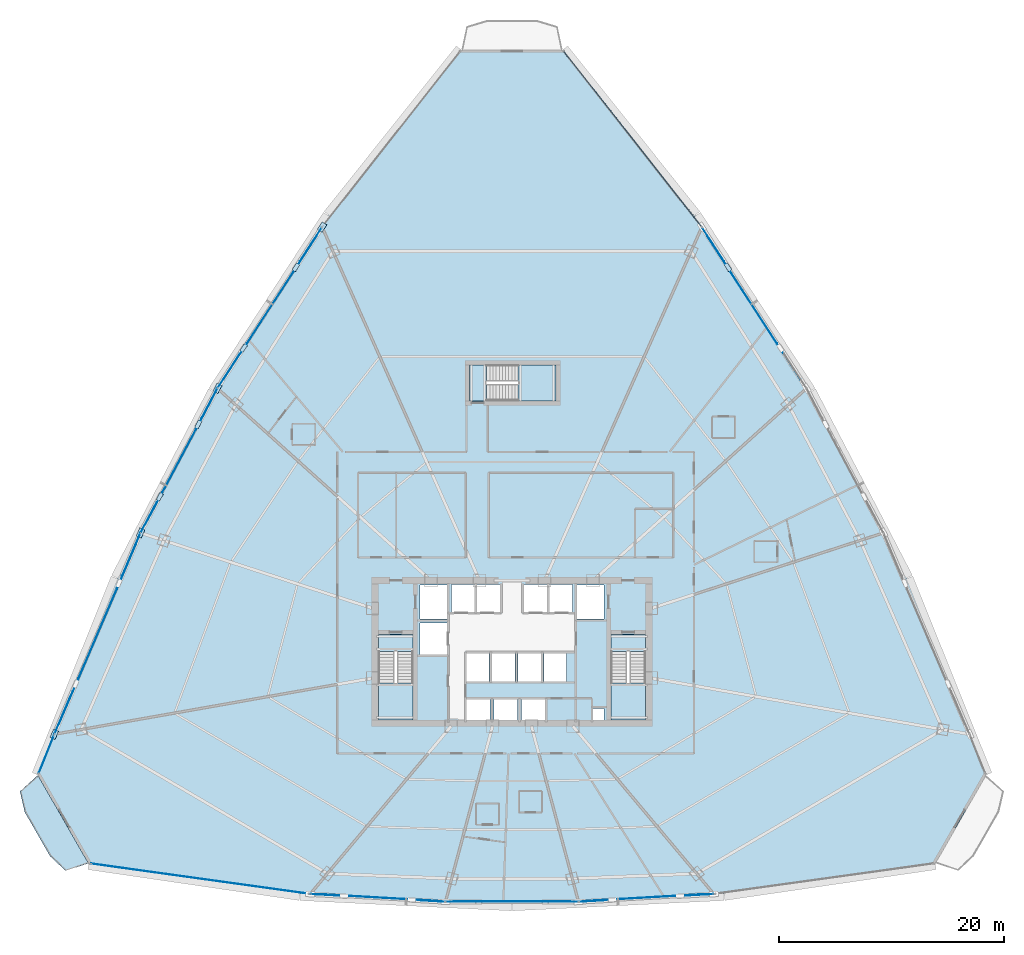
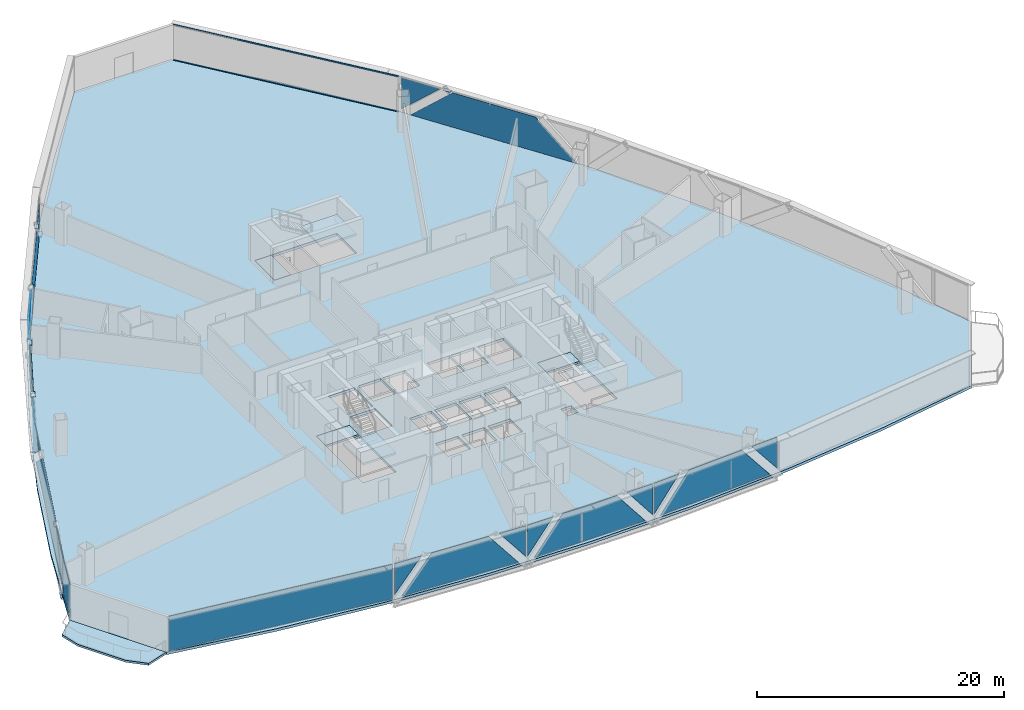
# One storey, part 28 of 38: 31 plates, 8 slabs, 2 members, 13 elements without a shape of their own.
"""IFC4 building model written with IfcOpenShell, lengths in metres."""

import ifcopenshell
import ifcopenshell.guid

model = None  # the IFC model being written
_history = None  # IfcOwnerHistory: only IFC2X3 demands one
_inside = {}  # id of a spatial element -> (the spatial element, [elements in it])
_under = {}  # id of a project, library or spatial element -> (it, [spatial elements below it])
_declared = {}  # id of a project -> (the project, [libraries it declares])
_typed = {}  # id of a type object -> (the type object, [elements of that type])
_made_of = {}  # id of a material, layer set ... -> (it, [elements and type objects made of it])


def new_model(schema):
    """Start an empty IFC model of exactly this schema.

    Asked for "IFC4X3", IfcOpenShell would pick the latest addendum, in which some entities
    have other attributes; the version numbers below select the first issue.
    IFC2X3 requires an IfcOwnerHistory on every rooted entity: one is made here for all.
    """
    global model, _history
    if schema == "IFC4X3":
        model = ifcopenshell.file(schema_version=(4, 3, 0, 0))
    else:
        model = ifcopenshell.file(schema=schema)
    _inside.clear()
    _under.clear()
    _declared.clear()
    _typed.clear()
    _made_of.clear()
    _history = None
    if model.schema == "IFC2X3":
        org = make("IfcOrganization", Name="unknown")
        user = make(
            "IfcPersonAndOrganization",
            ThePerson=make("IfcPerson", FamilyName="unknown"),
            TheOrganization=org,
        )
        app = make(
            "IfcApplication",
            ApplicationDeveloper=org,
            Version="unknown",
            ApplicationFullName="unknown",
            ApplicationIdentifier="unknown",
        )
        _history = make(
            "IfcOwnerHistory",
            OwningUser=user,
            OwningApplication=app,
            ChangeAction="ADDED",
            CreationDate=0,
        )
    return model


def make(cls, **values):
    """One entity of the class cls with the attributes given. An attribute that is None is left unset."""
    return model.create_entity(
        cls, **{name: value for name, value in values.items() if value is not None}
    )


def rooted(cls, **values):
    """An entity with a GlobalId (a new one), such as an element, a storey or a relation."""
    return make(cls, GlobalId=ifcopenshell.guid.new(), OwnerHistory=_history, **values)


def si_unit(unit_type, name, prefix=None):
    """IfcSIUnit, for example si_unit("LENGTHUNIT", "METRE", prefix="MILLI")."""
    return make("IfcSIUnit", UnitType=unit_type, Prefix=prefix, Name=name)


def assignment(units):
    """IfcUnitAssignment: the units of a project."""
    return None if units is None else make("IfcUnitAssignment", Units=units)


def point(xyz):
    """IfcCartesianPoint."""
    return None if xyz is None else make("IfcCartesianPoint", Coordinates=xyz)


def direction(xyz):
    """IfcDirection."""
    return None if xyz is None else make("IfcDirection", DirectionRatios=xyz)


def frame(location, z_axis=None, x_axis=None):
    """IfcAxis2Placement3D, a coordinate frame: its origin and axes. An axis left out is left unset."""
    return make(
        "IfcAxis2Placement3D",
        Location=point(location),
        Axis=direction(z_axis),
        RefDirection=direction(x_axis),
    )


def frame_2d(location, x_axis=None):
    """IfcAxis2Placement2D, a coordinate frame in the plane: its origin and x axis."""
    return make(
        "IfcAxis2Placement2D", Location=point(location), RefDirection=direction(x_axis)
    )


def origin():
    """The frame at (0, 0, 0) with its axes left unset."""
    return frame((0.0, 0.0, 0.0))


def origin_2d():
    """The frame at (0, 0) in the plane with its x axis left unset."""
    return frame_2d((0.0, 0.0))


def place(relative_to, where):
    """IfcLocalPlacement: puts the frame where relative to a parent placement (None: the world)."""
    return make(
        "IfcLocalPlacement", PlacementRelTo=relative_to, RelativePlacement=where
    )


def context(
    kind, dimensions, precision=None, world=None, true_north=None, identifier=None
):
    """IfcGeometricRepresentationContext, for example the 3D "Model" context."""
    return make(
        "IfcGeometricRepresentationContext",
        ContextIdentifier=identifier,
        ContextType=kind,
        CoordinateSpaceDimension=dimensions,
        Precision=precision,
        WorldCoordinateSystem=world,
        TrueNorth=true_north,
    )


def subcontext(parent, identifier, kind, view, scale=None):
    """IfcGeometricRepresentationSubContext, for example "Body" below "Model"."""
    return make(
        "IfcGeometricRepresentationSubContext",
        ContextIdentifier=identifier,
        ContextType=kind,
        ParentContext=parent,
        TargetScale=scale,
        TargetView=view,
    )


def project(units=None, contexts=None):
    """IfcProject with its units and contexts."""
    return rooted(
        "IfcProject",
        Name="project",
        RepresentationContexts=contexts,
        UnitsInContext=assignment(units),
    )


def spatial(cls, under=None, at=None, **own):
    """A site, building, storey or space (cls), placed at a placement, below another one or the project."""
    s = rooted(cls, ObjectPlacement=at, **own)
    if under is not None:
        _under.setdefault(under.id(), (under, []))[1].append(s)
    return s


def polyline(points):
    """IfcPolyline through the points."""
    return make("IfcPolyline", Points=[point(p) for p in points])


def profile(cls, at=None, kind="AREA", **sizes):
    """A parametric profile (cls). Its sizes go by their IFC names, for example OverallWidth=200.0."""
    return make(cls, ProfileType=kind, Position=at, **sizes)


def rectangle(**sizes):
    """IfcRectangleProfileDef."""
    return profile("IfcRectangleProfileDef", **sizes)


def hollow_rectangle(**sizes):
    """IfcRectangleHollowProfileDef."""
    return profile("IfcRectangleHollowProfileDef", **sizes)


def outline(outer, holes=None, kind="AREA"):
    """IfcArbitraryClosedProfileDef: a profile drawn as a closed curve; with holes, ...WithVoids."""
    if holes is None:
        return make("IfcArbitraryClosedProfileDef", ProfileType=kind, OuterCurve=outer)
    return make(
        "IfcArbitraryProfileDefWithVoids",
        ProfileType=kind,
        OuterCurve=outer,
        InnerCurves=holes,
    )


def extrude(swept, where, along, depth):
    """IfcExtrudedAreaSolid: the profile swept, set in the frame where, extruded along a direction by depth."""
    return make(
        "IfcExtrudedAreaSolid",
        SweptArea=swept,
        Position=where,
        ExtrudedDirection=direction(along),
        Depth=depth,
    )


def shape(context_of_items, identifier, shape_type, items):
    """IfcShapeRepresentation: the items that make up one representation, for example the "Body"."""
    return make(
        "IfcShapeRepresentation",
        ContextOfItems=context_of_items,
        RepresentationIdentifier=identifier,
        RepresentationType=shape_type,
        Items=items,
    )


def source(mapping_origin, context_of_items, identifier, shape_type, items):
    """IfcRepresentationMap: a shape defined once, which mapped items show again and again."""
    return make(
        "IfcRepresentationMap",
        MappingOrigin=mapping_origin,
        MappedRepresentation=shape(context_of_items, identifier, shape_type, items),
    )


def transform(
    local_origin,
    x_axis=None,
    y_axis=None,
    z_axis=None,
    scale=None,
    scale2=None,
    scale3=None,
    uniform=True,
):
    """IfcCartesianTransformationOperator3D, or its non-uniform kind. x_axis, y_axis, z_axis: its Axis1, 2, 3."""
    if uniform:
        return make(
            "IfcCartesianTransformationOperator3D",
            Axis1=direction(x_axis),
            Axis2=direction(y_axis),
            LocalOrigin=point(local_origin),
            Scale=scale,
            Axis3=direction(z_axis),
        )
    return make(
        "IfcCartesianTransformationOperator3DnonUniform",
        Axis1=direction(x_axis),
        Axis2=direction(y_axis),
        LocalOrigin=point(local_origin),
        Scale=scale,
        Axis3=direction(z_axis),
        Scale2=scale2,
        Scale3=scale3,
    )


def mapped(mapping_source, mapping_target):
    """IfcMappedItem: shows the shape of a source again, moved by a transform."""
    return make(
        "IfcMappedItem", MappingSource=mapping_source, MappingTarget=mapping_target
    )


def material(Name=None, Category=None):
    """IfcMaterial."""
    return make("IfcMaterial", Name=Name, Category=Category)


def layer(
    of_material, thickness, ventilated=None, Name=None, Category=None, Priority=None
):
    """IfcMaterialLayer: one layer of a wall or slab, of a material (None: an air gap)."""
    return make(
        "IfcMaterialLayer",
        Material=of_material,
        LayerThickness=thickness,
        IsVentilated=ventilated,
        Name=Name,
        Category=Category,
        Priority=Priority,
    )


def layer_set(layers, Name=None):
    """IfcMaterialLayerSet."""
    return make("IfcMaterialLayerSet", MaterialLayers=layers, LayerSetName=Name)


def material_profile(
    of_material, cross_section, Name=None, Category=None, Priority=None
):
    """IfcMaterialProfile: a cross section and its material."""
    return make(
        "IfcMaterialProfile",
        Name=Name,
        Material=of_material,
        Profile=cross_section,
        Priority=Priority,
        Category=Category,
    )


def profile_set(profiles, Name=None, composite=None):
    """IfcMaterialProfileSet."""
    return make(
        "IfcMaterialProfileSet",
        Name=Name,
        MaterialProfiles=profiles,
        CompositeProfile=composite,
    )


def made_of(thing, what):
    """Note that an element or type object is made of a material, layer set ...; save() writes the relation."""
    if what is not None:
        _made_of.setdefault(what.id(), (what, []))[1].append(thing)
    return thing


def type_object(cls, material=None, **own):
    """A type object (cls), such as IfcWallType, which elements share."""
    return made_of(rooted(cls, **own), material)


def element(
    cls,
    number,
    at=None,
    inside=None,
    cuts=None,
    type_object=None,
    material=None,
    context=None,
    identifier="Body",
    shape_type=None,
    held_by="IfcProductDefinitionShape",
    body=None,
    shapes=None,
    **own,
):
    """One element of the class cls, such as IfcWall. Its Tag is "e" and its number.

    at: its placement. inside: the storey or other place that contains it. cuts: it is an
    opening in that element (IfcRelVoidsElement). A single representation is given by context,
    identifier, shape_type and body (its items); several are given by shapes. held_by: the class
    of the entity that holds the representations. save() writes the other relations.
    """
    e = rooted(cls, Tag="e%d" % number, ObjectPlacement=at, **own)
    if body is not None:
        shapes = [shape(context, identifier, shape_type, body)]
    if shapes is not None:
        e.Representation = make(held_by, Representations=shapes)
    if inside is not None:
        _inside.setdefault(inside.id(), (inside, []))[1].append(e)
    if cuts is not None:
        rooted(
            "IfcRelVoidsElement", RelatingBuildingElement=cuts, RelatedOpeningElement=e
        )
    if type_object is not None:
        _typed.setdefault(type_object.id(), (type_object, []))[1].append(e)
    return made_of(e, material)


def aggregate(whole, parts):
    """IfcRelAggregates: a whole, such as a stair, and the parts it consists of."""
    return rooted("IfcRelAggregates", RelatingObject=whole, RelatedObjects=parts)


def save(model, path):
    """Write the relations noted so far, then the file.

    IfcRelAggregates (storeys below a building ...), IfcRelContainedInSpatialStructure (elements
    in a storey), IfcRelDefinesByType, IfcRelAssociatesMaterial and IfcRelDeclares: one each for
    every whole, place, type object, material and project.
    """
    for whole, parts in _under.values():
        aggregate(whole, parts)
    for where, things in _inside.values():
        rooted(
            "IfcRelContainedInSpatialStructure",
            RelatedElements=things,
            RelatingStructure=where,
        )
    for kind, things in _typed.values():
        rooted("IfcRelDefinesByType", RelatedObjects=things, RelatingType=kind)
    for what, things in _made_of.values():
        rooted("IfcRelAssociatesMaterial", RelatedObjects=things, RelatingMaterial=what)
    for by, libraries in _declared.values():
        rooted("IfcRelDeclares", RelatingContext=by, RelatedDefinitions=libraries)
    model.write(path)


model = new_model("IFC4")

# Units and contexts
model_context = context("Model", 3, precision=1e-05, world=origin(), true_north=direction((0.0, 1.0)))
body_context = subcontext(model_context, "Body", "Model", "MODEL_VIEW")
ifc_project = project(units=[si_unit("LENGTHUNIT", "METRE"), si_unit("AREAUNIT", "SQUARE_METRE"), si_unit("VOLUMEUNIT", "CUBIC_METRE"), si_unit("PLANEANGLEUNIT", "RADIAN"), si_unit("MASSUNIT", "GRAM", prefix="KILO"), si_unit("THERMODYNAMICTEMPERATUREUNIT", "KELVIN"), si_unit("POWERUNIT", "WATT")], contexts=[model_context])

# Site, building, storey
site_placement = place(None, origin())
site = spatial("IfcSite", under=ifc_project, at=site_placement, CompositionType="ELEMENT")
building_placement = place(site_placement, origin())
building = spatial("IfcBuilding", under=site, at=building_placement, Name="Yunzhuo Pagoda Commons", CompositionType="ELEMENT")
storey_placement = place(building_placement, frame((0.0, 0.0, 81.179931640625)))
storey = spatial("IfcBuildingStorey", under=building, at=storey_placement, Name="L20", CompositionType="ELEMENT", Elevation=81.179931640625)

# Curtain wall, members
ifc_material_1 = material(Name="Anodized aluminium 6063-T6", Category="aluminium")
ifc_layer_1 = layer(ifc_material_1, 0.1650390625)
ifc_layer_set_1 = layer_set([ifc_layer_1], Name="Anodized aluminium 6063-T6")
curtain_wall_type = type_object("IfcCurtainWallType", Name="CW-LOW Low-Zone Ribbon Curtain Wall", PredefinedType="NOTDEFINED", material=ifc_layer_set_1)
curtain_wall_1_placement = place(storey_placement, origin())
curtain_wall_1 = element("IfcCurtainWall", 1, at=curtain_wall_1_placement, inside=storey, type_object=curtain_wall_type, Name="L20 curtain wall CW-L20-F2B5", PredefinedType="NOTDEFINED")
ifc_material_profile = material_profile(ifc_material_1, hollow_rectangle(XDim=0.06005859375, YDim=0.139892578125, WallThickness=0.00341796875, at=origin_2d()), Name="Anodized aluminium 6063-T6")
ifc_profile_set = profile_set([ifc_material_profile], Name="Anodized aluminium 6063-T6")
member_type = type_object("IfcMemberType", Name="CW-LOW-T Transom RHS 140x60x3.5", PredefinedType="USERDEFINED", material=ifc_profile_set)
shared_shape_1 = source(origin(), body_context, "Body", "SweptSolid", [
    extrude(hollow_rectangle(XDim=0.06005859375, YDim=0.139892578125, WallThickness=0.00341796875, at=origin_2d()), origin(), (0.0, 0.0, 1.0), 19.706298828125),
])
member_1_placement = place(storey_placement, frame((64.8173828125, 71.777099609375, 0.030029296875), z_axis=(-0.61806117369, 0.786130005519, 0.0), x_axis=(-0.786130005519, -0.61806117369, 0.0)))
member_1 = element("IfcMember", 2, at=member_1_placement, type_object=member_type, Name="CW transom 1.1", ObjectType="TRANSOM", PredefinedType="USERDEFINED", context=body_context, shape_type="MappedRepresentation", body=[
    mapped(shared_shape_1, transform((0.0, 0.0, 0.0), scale=1.0)),
])
member_2_placement = place(storey_placement, frame((64.8173828125, 71.777099609375, 3.510009765625), z_axis=(-0.61806117369, 0.786130005519, 0.0), x_axis=(-0.786130005519, -0.61806117369, 0.0)))
member_2 = element("IfcMember", 3, at=member_2_placement, type_object=member_type, Name="CW transom 1.2", ObjectType="TRANSOM", PredefinedType="USERDEFINED", context=body_context, shape_type="MappedRepresentation", body=[
    mapped(shared_shape_1, transform((0.0, 0.0, 0.0), scale=1.0)),
])
aggregate(curtain_wall_1, [member_1, member_2])

# Curtain wall, plates
curtain_wall_2_placement = place(storey_placement, origin())
curtain_wall_2 = element("IfcCurtainWall", 4, at=curtain_wall_2_placement, inside=storey, type_object=curtain_wall_type, Name="L20 curtain wall CW-L20-F1B2", PredefinedType="NOTDEFINED")
ifc_material_2 = material(Name="Tempered low-e double glazing", Category="glass")
ifc_layer_2 = layer(ifc_material_2, 0.028076171875)
ifc_layer_set_2 = layer_set([ifc_layer_2], Name="Tempered low-e double glazing")
plate_type_1 = type_object("IfcPlateType", Name="CW-LOW-P Low-E Double Glazing 28", PredefinedType="CURTAIN_PANEL", material=ifc_layer_set_2)
plate_1_placement = place(storey_placement, frame((31.310302734375, 12.234375, 1.956787109375), z_axis=(-0.057418382325, -0.998350203772, 0.0), x_axis=(0.998350203772, -0.057418382325, 0.0)))
plate_1 = element("IfcPlate", 5, at=plate_1_placement, type_object=plate_type_1, Name="CW panel 1.1 lite 1", PredefinedType="CURTAIN_PANEL", context=body_context, shape_type="SweptSolid", body=[
    extrude(outline(polyline([(-1.208740234375, -1.5234375), (1.208740234375, 1.523193359375), (-1.208740234375, 1.523193359375), (-1.208740234375, -1.5234375)])), origin(), (0.0, 0.0, 1.0), 0.028076171875),
])
plate_2_placement = place(storey_placement, frame((36.060791015625, 11.9912109375, 1.77001953125), z_axis=(-0.057418382325, -0.998350203772, 0.0), x_axis=(0.998350203772, -0.057418382325, 0.0)))
plate_2 = element("IfcPlate", 6, at=plate_2_placement, type_object=plate_type_1, Name="CW panel 1.1 lite 2", PredefinedType="CURTAIN_PANEL", context=body_context, shape_type="SweptSolid", body=[
    extrude(outline(polyline([(-5.291259765625, -1.7099609375), (5.291259765625, -1.7099609375), (2.57763671875, 1.7099609375), (-2.57763671875, 1.7099609375), (-5.291259765625, -1.7099609375)])), origin(), (0.0, 0.0, 1.0), 0.028076171875),
])
plate_3_placement = place(storey_placement, frame((40.8076171875, 11.688232421875, 1.956787109375), z_axis=(-0.057418382325, -0.998350203772, 0.0), x_axis=(0.998350203772, -0.057418382325, 0.0)))
plate_3 = element("IfcPlate", 7, at=plate_3_placement, type_object=plate_type_1, Name="CW panel 1.1 lite 3", PredefinedType="CURTAIN_PANEL", context=body_context, shape_type="SweptSolid", body=[
    extrude(outline(polyline([(-1.208740234375, 1.523193359375), (1.208740234375, -1.5234375), (1.208740234375, 1.523193359375), (-1.208740234375, 1.523193359375)])), origin(), (0.0, 0.0, 1.0), 0.028076171875),
])
aggregate(curtain_wall_2, [plate_1, plate_2, plate_3])

curtain_wall_3_placement = place(storey_placement, origin())
curtain_wall_3 = element("IfcCurtainWall", 8, at=curtain_wall_3_placement, inside=storey, type_object=curtain_wall_type, Name="L20 curtain wall CW-L20-F1B3", PredefinedType="NOTDEFINED")
plate_4_placement = place(storey_placement, frame((43.3271484375, 11.615234375, 1.9609375), z_axis=(0.0, -1.0, 0.0), x_axis=(1.0, 0.0, 0.0)))
plate_4 = element("IfcPlate", 9, at=plate_4_placement, type_object=plate_type_1, Name="CW panel 1.1 lite 1", PredefinedType="CURTAIN_PANEL", context=body_context, shape_type="SweptSolid", body=[
    extrude(outline(polyline([(-1.18359375, -1.51904296875), (1.18359375, 1.51904296875), (-1.18359375, 1.51904296875), (-1.18359375, -1.51904296875)])), origin(), (0.0, 0.0, 1.0), 0.028076171875),
])
plate_5_placement = place(storey_placement, frame((48.0, 11.64501953125, 1.77001953125), z_axis=(0.0, -1.0, 0.0), x_axis=(1.0, 0.0, 0.0)))
plate_5 = element("IfcPlate", 10, at=plate_5_placement, type_object=plate_type_1, Name="CW panel 1.1 lite 2", PredefinedType="CURTAIN_PANEL", context=body_context, shape_type="SweptSolid", body=[
    extrude(outline(polyline([(-5.1904296875, -1.7099609375), (5.1904296875, -1.7099609375), (2.525634765625, 1.7099609375), (-2.525634765625, 1.7099609375), (-5.1904296875, -1.7099609375)])), origin(), (0.0, 0.0, 1.0), 0.028076171875),
])
plate_6_placement = place(storey_placement, frame((52.6728515625, 11.615234375, 1.9609375), z_axis=(0.0, -1.0, 0.0), x_axis=(1.0, 0.0, 0.0)))
plate_6 = element("IfcPlate", 11, at=plate_6_placement, type_object=plate_type_1, Name="CW panel 1.1 lite 3", PredefinedType="CURTAIN_PANEL", context=body_context, shape_type="SweptSolid", body=[
    extrude(outline(polyline([(-1.18359375, 1.51904296875), (1.18359375, -1.51904296875), (1.18359375, 1.51904296875), (-1.18359375, 1.51904296875)])), origin(), (0.0, 0.0, 1.0), 0.028076171875),
])
aggregate(curtain_wall_3, [plate_4, plate_5, plate_6])

curtain_wall_4_placement = place(storey_placement, origin())
curtain_wall_4 = element("IfcCurtainWall", 12, at=curtain_wall_4_placement, inside=storey, type_object=curtain_wall_type, Name="L20 curtain wall CW-L20-F1B4", PredefinedType="NOTDEFINED")
plate_7_placement = place(storey_placement, frame((55.1923828125, 11.688232421875, 1.956787109375), z_axis=(0.057418382325, -0.998350203772, 0.0), x_axis=(0.998350203772, 0.057418382325, 0.0)))
plate_7 = element("IfcPlate", 13, at=plate_7_placement, type_object=plate_type_1, Name="CW panel 1.1 lite 1", PredefinedType="CURTAIN_PANEL", context=body_context, shape_type="SweptSolid", body=[
    extrude(outline(polyline([(-1.208740234375, -1.5234375), (1.208740234375, 1.523193359375), (-1.208740234375, 1.523193359375), (-1.208740234375, -1.5234375)])), origin(), (0.0, 0.0, 1.0), 0.028076171875),
])
plate_8_placement = place(storey_placement, frame((59.939208984375, 11.9912109375, 1.77001953125), z_axis=(0.057418382325, -0.998350203772, 0.0), x_axis=(0.998350203772, 0.057418382325, 0.0)))
plate_8 = element("IfcPlate", 14, at=plate_8_placement, type_object=plate_type_1, Name="CW panel 1.1 lite 2", PredefinedType="CURTAIN_PANEL", context=body_context, shape_type="SweptSolid", body=[
    extrude(outline(polyline([(-5.291259765625, -1.7099609375), (5.291259765625, -1.7099609375), (2.57763671875, 1.7099609375), (-2.57763671875, 1.7099609375), (-5.291259765625, -1.7099609375)])), origin(), (0.0, 0.0, 1.0), 0.028076171875),
])
plate_9_placement = place(storey_placement, frame((64.689697265625, 12.234375, 1.956787109375), z_axis=(0.057418382325, -0.998350203772, 0.0), x_axis=(0.998350203772, 0.057418382325, 0.0)))
plate_9 = element("IfcPlate", 15, at=plate_9_placement, type_object=plate_type_1, Name="CW panel 1.1 lite 3", PredefinedType="CURTAIN_PANEL", context=body_context, shape_type="SweptSolid", body=[
    extrude(outline(polyline([(-1.208740234375, 1.523193359375), (1.208740234375, -1.5234375), (1.208740234375, 1.523193359375), (-1.208740234375, 1.523193359375)])), origin(), (0.0, 0.0, 1.0), 0.028076171875),
])
aggregate(curtain_wall_4, [plate_7, plate_8, plate_9])

curtain_wall_5_placement = place(storey_placement, origin())
curtain_wall_5 = element("IfcCurtainWall", 16, at=curtain_wall_5_placement, inside=storey, type_object=curtain_wall_type, Name="L20 curtain wall CW-L20-F2B4", PredefinedType="NOTDEFINED")
plate_10_placement = place(storey_placement, frame((69.52490234375, 64.4638671875, 1.77001953125), z_axis=(0.838906636672, 0.544275348466, 0.0), x_axis=(-0.544275348466, 0.838906636672, 0.0)))
plate_10 = element("IfcPlate", 17, at=plate_10_placement, type_object=plate_type_1, Name="CW panel 1.1 lite 2", PredefinedType="CURTAIN_PANEL", context=body_context, shape_type="SweptSolid", body=[
    extrude(outline(polyline([(-7.62548828125, -1.7099609375), (7.62548828125, -1.7099609375), (3.774169921875, 1.7099609375), (-3.7744140625, 1.7099609375), (-7.62548828125, -1.7099609375)])), origin(), (0.0, 0.0, 1.0), 0.028076171875),
])
plate_11_placement = place(storey_placement, frame((65.900390625, 70.105712890625, 1.89306640625), z_axis=(0.838906636672, 0.544275348466, 0.0), x_axis=(-0.544275348466, 0.838906636672, 0.0)))
plate_11 = element("IfcPlate", 18, at=plate_11_placement, type_object=plate_type_1, Name="CW panel 1.1 lite 3", PredefinedType="CURTAIN_PANEL", context=body_context, shape_type="SweptSolid", body=[
    extrude(outline(polyline([(-1.787109375, 1.587158203125), (1.787109375, -1.5869140625), (1.787109375, 1.587158203125), (-1.787109375, 1.587158203125)])), origin(), (0.0, 0.0, 1.0), 0.028076171875),
])
aggregate(curtain_wall_5, [plate_10, plate_11])

curtain_wall_6_placement = place(storey_placement, origin())
curtain_wall_6 = element("IfcCurtainWall", 19, at=curtain_wall_6_placement, inside=storey, type_object=curtain_wall_type, Name="L20 curtain wall CW-L20-F3B2", PredefinedType="NOTDEFINED")
plate_12_placement = place(storey_placement, frame((30.099609375, 70.105712890625, 1.89306640625), z_axis=(-0.838906636672, 0.544275348466, 0.0), x_axis=(-0.544275348466, -0.838906636672, 0.0)))
plate_12 = element("IfcPlate", 20, at=plate_12_placement, type_object=plate_type_1, Name="CW panel 1.1 lite 1", PredefinedType="CURTAIN_PANEL", context=body_context, shape_type="SweptSolid", body=[
    extrude(outline(polyline([(-1.787109375, -1.5869140625), (1.787109375, 1.587158203125), (-1.787109375, 1.587158203125), (-1.787109375, -1.5869140625)])), origin(), (0.0, 0.0, 1.0), 0.028076171875),
])
plate_13_placement = place(storey_placement, frame((26.47509765625, 64.4638671875, 1.77001953125), z_axis=(-0.838906636672, 0.544275348466, 0.0), x_axis=(-0.544275348466, -0.838906636672, 0.0)))
plate_13 = element("IfcPlate", 21, at=plate_13_placement, type_object=plate_type_1, Name="CW panel 1.1 lite 2", PredefinedType="CURTAIN_PANEL", context=body_context, shape_type="SweptSolid", body=[
    extrude(outline(polyline([(-7.62548828125, -1.7099609375), (7.62548828125, -1.7099609375), (3.7744140625, 1.7099609375), (-3.7744140625, 1.7099609375), (-7.62548828125, -1.7099609375)])), origin(), (0.0, 0.0, 1.0), 0.028076171875),
])
plate_14_placement = place(storey_placement, frame((22.7998046875, 58.8544921875, 1.89306640625), z_axis=(-0.838906636672, 0.544275348466, 0.0), x_axis=(-0.544275348466, -0.838906636672, 0.0)))
plate_14 = element("IfcPlate", 22, at=plate_14_placement, type_object=plate_type_1, Name="CW panel 1.1 lite 3", PredefinedType="CURTAIN_PANEL", context=body_context, shape_type="SweptSolid", body=[
    extrude(outline(polyline([(-1.787109375, 1.587158203125), (1.787109375, -1.5869140625), (1.787109375, 1.587158203125), (-1.787109375, 1.587158203125)])), origin(), (0.0, 0.0, 1.0), 0.028076171875),
])
aggregate(curtain_wall_6, [plate_12, plate_13, plate_14])

curtain_wall_7_placement = place(storey_placement, origin())
curtain_wall_7 = element("IfcCurtainWall", 23, at=curtain_wall_7_placement, inside=storey, type_object=curtain_wall_type, Name="L20 curtain wall CW-L20-F3B3", PredefinedType="NOTDEFINED")
plate_15_placement = place(storey_placement, frame((21.058837890625, 55.9228515625, 1.91845703125), z_axis=(-0.8828050059, 0.469739631666, 0.0), x_axis=(-0.469739631666, -0.8828050059, 0.0)))
plate_15 = element("IfcPlate", 24, at=plate_15_placement, type_object=plate_type_1, Name="CW panel 1.1 lite 1", PredefinedType="CURTAIN_PANEL", context=body_context, shape_type="SweptSolid", body=[
    extrude(outline(polyline([(-1.4970703125, -1.5615234375), (1.4970703125, 1.5615234375), (-1.4970703125, 1.5615234375), (-1.4970703125, -1.5615234375)])), origin(), (0.0, 0.0, 1.0), 0.028076171875),
])
plate_16_placement = place(storey_placement, frame((18.396484375, 50.855224609375, 1.77001953125), z_axis=(-0.8828050059, 0.469739631666, 0.0), x_axis=(-0.469739631666, -0.8828050059, 0.0)))
plate_16 = element("IfcPlate", 25, at=plate_16_placement, type_object=plate_type_1, Name="CW panel 1.1 lite 2", PredefinedType="CURTAIN_PANEL", context=body_context, shape_type="SweptSolid", body=[
    extrude(outline(polyline([(-6.453125, -1.7099609375), (6.453125, -1.7099609375), (3.17431640625, 1.7099609375), (-3.17431640625, 1.7099609375), (-6.453125, -1.7099609375)])), origin(), (0.0, 0.0, 1.0), 0.028076171875),
])
plate_17_placement = place(storey_placement, frame((15.68115234375, 45.81591796875, 1.91845703125), z_axis=(-0.8828050059, 0.469739631666, 0.0), x_axis=(-0.469739631666, -0.8828050059, 0.0)))
plate_17 = element("IfcPlate", 26, at=plate_17_placement, type_object=plate_type_1, Name="CW panel 1.1 lite 3", PredefinedType="CURTAIN_PANEL", context=body_context, shape_type="SweptSolid", body=[
    extrude(outline(polyline([(-1.4970703125, 1.5615234375), (1.4970703125, -1.5615234375), (1.4970703125, 1.5615234375), (-1.4970703125, 1.5615234375)])), origin(), (0.0, 0.0, 1.0), 0.028076171875),
])
aggregate(curtain_wall_7, [plate_15, plate_16, plate_17])

curtain_wall_8_placement = place(storey_placement, origin())
curtain_wall_8 = element("IfcCurtainWall", 27, at=curtain_wall_8_placement, inside=storey, type_object=curtain_wall_type, Name="L20 curtain wall CW-L20-F3B4", PredefinedType="NOTDEFINED")
plate_18_placement = place(storey_placement, frame((14.112060546875, 42.486572265625, 1.876220703125), z_axis=(-0.919250024103, 0.39367422215, 0.0), x_axis=(-0.39367422215, -0.919250024103, 0.0)))
plate_18 = element("IfcPlate", 28, at=plate_18_placement, type_object=plate_type_1, Name="CW panel 1.1 lite 1", PredefinedType="CURTAIN_PANEL", context=body_context, shape_type="SweptSolid", body=[
    extrude(outline(polyline([(-2.0576171875, -1.603759765625), (2.0576171875, 1.603759765625), (-2.0576171875, 1.603759765625), (-2.0576171875, -1.603759765625)])), origin(), (0.0, 0.0, 1.0), 0.028076171875),
])
plate_19_placement = place(storey_placement, frame((11.136474609375, 35.46240234375, 1.77001953125), z_axis=(-0.919250024103, 0.39367422215, 0.0), x_axis=(-0.39367422215, -0.919250024103, 0.0)))
plate_19 = element("IfcPlate", 29, at=plate_19_placement, type_object=plate_type_1, Name="CW panel 1.1 lite 2", PredefinedType="CURTAIN_PANEL", context=body_context, shape_type="SweptSolid", body=[
    extrude(outline(polyline([(-8.722412109375, -1.7099609375), (8.722412109375, -1.7099609375), (4.33447265625, 1.7099609375), (-4.33447265625, 1.7099609375), (-8.722412109375, -1.7099609375)])), origin(), (0.0, 0.0, 1.0), 0.028076171875),
])
plate_20_placement = place(storey_placement, frame((8.10595703125, 28.461669921875, 1.876220703125), z_axis=(-0.919250024103, 0.39367422215, 0.0), x_axis=(-0.39367422215, -0.919250024103, 0.0)))
plate_20 = element("IfcPlate", 30, at=plate_20_placement, type_object=plate_type_1, Name="CW panel 1.1 lite 3", PredefinedType="CURTAIN_PANEL", context=body_context, shape_type="SweptSolid", body=[
    extrude(outline(polyline([(-2.0576171875, 1.603759765625), (2.0576171875, -1.603759765625), (2.0576171875, 1.603759765625), (-2.0576171875, 1.603759765625)])), origin(), (0.0, 0.0, 1.0), 0.028076171875),
])
aggregate(curtain_wall_8, [plate_18, plate_19, plate_20])

# Slab
ifc_material_3 = material(Name="Concrete C40", Category="concrete")
ifc_layer_3 = layer(ifc_material_3, 0.199951171875)
ifc_layer_set_3 = layer_set([ifc_layer_3], Name="Concrete C40")
slab_type_1 = type_object("IfcSlabType", Name="SL-BAL Vertex Balcony Deck Slab 200", PredefinedType="FLOOR", material=ifc_layer_set_3)
slab_1_placement = place(storey_placement, frame((0.0, 0.0, -0.199951171875)))
element("IfcSlab", 31, at=slab_1_placement, inside=storey, type_object=slab_type_1, Name="L20 corner balcony V1", PredefinedType="FLOOR", context=body_context, shape_type="SweptSolid", body=[
    extrude(outline(polyline([(5.7958984375, 22.867919921875), (10.29833984375, 15.026123046875), (8.257568359375, 14.373291015625), (6.87890625, 15.669677734375), (4.627685546875, 19.590576171875), (4.202880859375, 21.4345703125), (5.7958984375, 22.867919921875)])), origin(), (0.0, 0.0, 1.0), 0.199951171875),
])

# Stair, slabs
stair_type_1 = type_object("IfcStairType", Name="ST-C1 Core Smokeproof Stair ST1", PredefinedType="HALF_TURN_STAIR", material=ifc_material_3)
stair_1_placement = place(storey_placement, origin())
stair_1 = element("IfcStair", 32, at=stair_1_placement, inside=storey, type_object=stair_type_1, Name="L20 Core smokeproof stair ST1", PredefinedType="HALF_TURN_STAIR")
ifc_layer_4 = layer(ifc_material_3, 0.199951171875)
ifc_layer_set_4 = layer_set([ifc_layer_4], Name="Concrete C40")
slab_type_2 = type_object("IfcSlabType", Name="SL-LND1 Stair Landing Slab 200", PredefinedType="LANDING", material=ifc_layer_set_4)
slab_2_placement = place(storey_placement, frame((0.0, 0.0, 1.699951171875)))
slab_2 = element("IfcSlab", 33, at=slab_2_placement, type_object=slab_type_2, Name="ST1 landing 1", PredefinedType="LANDING", context=body_context, shape_type="SweptSolid", body=[
    extrude(outline(polyline([(36.10009765625, 31.10009765625), (36.10009765625, 27.800048828125), (39.199951171875, 27.800048828125), (39.199951171875, 31.10009765625), (36.10009765625, 31.10009765625)])), origin(), (0.0, 0.0, 1.0), 0.2001953125),
])
slab_3_placement = place(storey_placement, frame((0.0, 0.0, -0.199951171875)))
slab_3 = element("IfcSlab", 34, at=slab_3_placement, type_object=slab_type_2, Name="ST1 floor landing L20", PredefinedType="LANDING", context=body_context, shape_type="SweptSolid", body=[
    extrude(outline(polyline([(36.10009765625, 35.39990234375), (36.10009765625, 33.89990234375), (39.199951171875, 33.89990234375), (39.199951171875, 35.39990234375), (36.10009765625, 35.39990234375)])), origin(), (0.0, 0.0, 1.0), 0.199951171875),
])
aggregate(stair_1, [slab_2, slab_3])

stair_type_2 = type_object("IfcStairType", Name="ST-C2 Core Smokeproof Stair ST2", PredefinedType="HALF_TURN_STAIR", material=ifc_material_3)
stair_2_placement = place(storey_placement, origin())
stair_2 = element("IfcStair", 35, at=stair_2_placement, inside=storey, type_object=stair_type_2, Name="L20 Core smokeproof stair ST2", PredefinedType="HALF_TURN_STAIR")
ifc_layer_5 = layer(ifc_material_3, 0.201904296875)
ifc_layer_set_5 = layer_set([ifc_layer_5], Name="Concrete C40")
slab_type_3 = type_object("IfcSlabType", Name="SL-LND2 Stair Landing Slab 202", PredefinedType="LANDING", material=ifc_layer_set_5)
slab_4_placement = place(storey_placement, frame((0.0, 0.0, 1.699951171875)))
slab_4 = element("IfcSlab", 36, at=slab_4_placement, type_object=slab_type_3, Name="ST2 landing 1", PredefinedType="LANDING", context=body_context, shape_type="SweptSolid", body=[
    extrude(outline(polyline([(56.800048828125, 31.10009765625), (56.800048828125, 27.800048828125), (59.89990234375, 27.800048828125), (59.89990234375, 31.10009765625), (56.800048828125, 31.10009765625)])), origin(), (0.0, 0.0, 1.0), 0.2001953125),
])
slab_5_placement = place(storey_placement, frame((0.0, 0.0, -0.199951171875)))
slab_5 = element("IfcSlab", 37, at=slab_5_placement, type_object=slab_type_3, Name="ST2 floor landing L20", PredefinedType="LANDING", context=body_context, shape_type="SweptSolid", body=[
    extrude(outline(polyline([(56.800048828125, 35.39990234375), (56.800048828125, 33.89990234375), (59.89990234375, 33.89990234375), (59.89990234375, 35.39990234375), (56.800048828125, 35.39990234375)])), origin(), (0.0, 0.0, 1.0), 0.199951171875),
])
aggregate(stair_2, [slab_4, slab_5])

stair_type_3 = type_object("IfcStairType", Name="ST-C3 North Tower Smokeproof Stair ST3", PredefinedType="HALF_TURN_STAIR", material=ifc_material_3)
stair_3_placement = place(storey_placement, origin())
stair_3 = element("IfcStair", 38, at=stair_3_placement, inside=storey, type_object=stair_type_3, Name="L20 North tower smokeproof stair ST3", PredefinedType="HALF_TURN_STAIR")
ifc_layer_6 = layer(ifc_material_3, 0.2041015625)
ifc_layer_set_6 = layer_set([ifc_layer_6], Name="Concrete C40")
slab_type_4 = type_object("IfcSlabType", Name="SL-LND5 North Landing Slab 204", PredefinedType="LANDING", material=ifc_layer_set_6)
slab_6_placement = place(storey_placement, frame((0.0, 0.0, 1.699951171875)))
slab_6 = element("IfcSlab", 39, at=slab_6_placement, type_object=slab_type_4, Name="ST3 landing 1", PredefinedType="LANDING", context=body_context, shape_type="SweptSolid", body=[
    extrude(outline(polyline([(48.550048828125, 56.199951171875), (51.89990234375, 56.199951171875), (51.89990234375, 59.39990234375), (48.550048828125, 59.39990234375), (48.550048828125, 56.199951171875)])), origin(), (0.0, 0.0, 1.0), 0.2001953125),
])
slab_7_placement = place(storey_placement, frame((0.0, 0.0, -0.199951171875)))
slab_7 = element("IfcSlab", 40, at=slab_7_placement, type_object=slab_type_4, Name="ST3 floor landing L20", PredefinedType="LANDING", context=body_context, shape_type="SweptSolid", body=[
    extrude(outline(polyline([(44.199951171875, 56.199951171875), (45.75, 56.199951171875), (45.75, 59.39990234375), (44.199951171875, 59.39990234375), (44.199951171875, 56.199951171875)])), origin(), (0.0, 0.0, 1.0), 0.199951171875),
])
aggregate(stair_3, [slab_6, slab_7])

# Slab
ifc_layer_7 = layer(ifc_material_3, 0.260009765625)
ifc_layer_set_7 = layer_set([ifc_layer_7], Name="Concrete C40")
slab_type_5 = type_object("IfcSlabType", Name="SL-TWR Typical Tower Floor Slab 260", PredefinedType="FLOOR", material=ifc_layer_set_7)
slab_8_placement = place(storey_placement, frame((0.0, 0.0, -0.260009765625)))
element("IfcSlab", 41, at=slab_8_placement, inside=storey, type_object=slab_type_5, Name="L20 structural floor slab", PredefinedType="FLOOR", context=body_context, shape_type="SweptSolid", body=[
    extrude(outline(polyline([(9.1259765625, 31.752197265625), (12.84814453125, 40.402587890625), (16.966064453125, 48.82177734375), (21.480224609375, 57.009765625), (26.390380859375, 64.966796875), (31.69677734375, 72.6923828125), (37.39892578125, 80.186767578125), (43.497314453125, 87.449951171875), (52.502685546875, 87.449951171875), (58.60107421875, 80.186767578125), (64.30322265625, 72.6923828125), (69.609619140625, 64.966796875), (74.519775390625, 57.009765625), (79.033935546875, 48.82177734375), (83.15185546875, 40.402587890625), (86.8740234375, 31.752197265625), (90.199951171875, 22.87060546875), (85.697265625, 15.028564453125), (76.27294921875, 13.423583984375), (66.8486328125, 12.277099609375), (57.42431640625, 11.589111328125), (48.0, 11.35986328125), (38.57568359375, 11.589111328125), (29.1513671875, 12.277099609375), (19.72705078125, 13.423583984375), (10.302734375, 15.028564453125), (5.800048828125, 22.87060546875), (9.1259765625, 31.752197265625)]), holes=[polyline([(46.050048828125, 27.60009765625), (46.050048828125, 29.64990234375), (43.949951171875, 29.64990234375), (43.949951171875, 27.60009765625), (46.050048828125, 27.60009765625)]), polyline([(48.5, 27.60009765625), (48.5, 29.64990234375), (46.39990234375, 29.64990234375), (46.39990234375, 27.60009765625), (48.5, 27.60009765625)]), polyline([(36.10009765625, 27.800048828125), (39.199951171875, 27.800048828125), (39.199951171875, 35.39990234375), (36.10009765625, 35.39990234375), (36.10009765625, 27.800048828125)]), polyline([(45.969970703125, 31.199951171875), (45.969970703125, 33.800048828125), (43.929931640625, 33.800048828125), (43.929931640625, 31.199951171875), (45.969970703125, 31.199951171875)]), polyline([(48.27001953125, 31.199951171875), (48.27001953125, 33.800048828125), (46.22998046875, 33.800048828125), (46.22998046875, 31.199951171875), (48.27001953125, 31.199951171875)]), polyline([(42.199951171875, 33.60009765625), (42.199951171875, 36.39990234375), (39.800048828125, 36.39990234375), (39.800048828125, 33.60009765625), (42.199951171875, 33.60009765625)]), polyline([(42.199951171875, 36.800048828125), (42.199951171875, 39.800048828125), (39.800048828125, 39.800048828125), (39.800048828125, 36.800048828125), (42.199951171875, 36.800048828125)]), polyline([(42.60009765625, 37.39990234375), (44.699951171875, 37.39990234375), (44.699951171875, 39.85009765625), (42.60009765625, 39.85009765625), (42.60009765625, 37.39990234375)]), polyline([(44.85009765625, 37.39990234375), (46.949951171875, 37.39990234375), (46.949951171875, 39.85009765625), (44.85009765625, 39.85009765625), (44.85009765625, 37.39990234375)]), polyline([(56.179931640625, 27.699951171875), (56.179931640625, 28.800048828125), (55.179931640625, 28.800048828125), (55.179931640625, 27.699951171875), (56.179931640625, 27.699951171875)]), polyline([(50.949951171875, 27.60009765625), (50.949951171875, 29.64990234375), (48.85009765625, 29.64990234375), (48.85009765625, 27.60009765625), (50.949951171875, 27.60009765625)]), polyline([(56.800048828125, 27.800048828125), (59.89990234375, 27.800048828125), (59.89990234375, 35.39990234375), (56.800048828125, 35.39990234375), (56.800048828125, 27.800048828125)]), polyline([(50.570068359375, 31.199951171875), (50.570068359375, 33.800048828125), (48.530029296875, 33.800048828125), (48.530029296875, 31.199951171875), (50.570068359375, 31.199951171875)]), polyline([(52.8701171875, 31.199951171875), (52.8701171875, 33.800048828125), (50.830078125, 33.800048828125), (50.830078125, 31.199951171875), (52.8701171875, 31.199951171875)]), polyline([(56.199951171875, 36.800048828125), (56.199951171875, 39.800048828125), (53.800048828125, 39.800048828125), (53.800048828125, 36.800048828125), (56.199951171875, 36.800048828125)]), polyline([(51.14990234375, 37.39990234375), (51.14990234375, 39.85009765625), (49.050048828125, 39.85009765625), (49.050048828125, 37.39990234375), (51.14990234375, 37.39990234375)]), polyline([(51.300048828125, 37.39990234375), (53.39990234375, 37.39990234375), (53.39990234375, 39.85009765625), (51.300048828125, 39.85009765625), (51.300048828125, 37.39990234375)]), polyline([(44.199951171875, 56.199951171875), (51.89990234375, 56.199951171875), (51.89990234375, 59.39990234375), (44.199951171875, 59.39990234375), (44.199951171875, 56.199951171875)])]), origin(), (0.0, 0.0, 1.0), 0.260009765625),
])

# Plates
ifc_material_4 = material(Name="Structural steel Q355B", Category="steel")
ifc_layer_8 = layer(ifc_material_4, 0.028076171875)
ifc_layer_set_8 = layer_set([ifc_layer_8], Name="Structural steel Q355B")
plate_type_2 = type_object("IfcPlateType", Name="SP-ND1 Lattice Node Cap Plate 800x500x28", PredefinedType="USERDEFINED", material=ifc_layer_set_8)
shared_shape_2 = source(origin(), body_context, "Body", "SweptSolid", [
    extrude(rectangle(XDim=0.800048828125, YDim=0.5, at=origin_2d()), origin(), (0.0, 0.0, 1.0), 0.028076171875),
])
for number, where, z_axis, x_axis, name in (
    (42, (31.095947265625, 71.6669921875, -0.27392578125), (0.0, 0.0, 1.0), (-0.544273044112, -0.838908131712, 0.0), "L20 diamond node plate F3.1A"),
    (43, (21.7802734375, 57.308349609375, -0.27392578125), (0.0, 0.0, 1.0), (-0.469733517942, -0.882808258979, 0.0), "L20 diamond node plate F3.2A"),
    (44, (14.934814453125, 44.443603515625, -0.27392578125), (0.0, 0.0, 1.0), (-0.39366917931, -0.919252183713, 0.0), "L20 diamond node plate F3.3A"),
    (45, (7.257080078125, 26.515869140625, -0.27392578125), (0.0, 0.0, 1.0), (-0.39366917931, -0.919252183713, 0.0), "L20 diamond node plate F3.3B"),
):
    element("IfcPlate", number, at=place(storey_placement, frame(where, z_axis=z_axis, x_axis=x_axis)), inside=storey, type_object=plate_type_2, Name=name, ObjectType="STIFFENER_PLATE", PredefinedType="USERDEFINED", context=body_context, shape_type="MappedRepresentation", body=[
        mapped(shared_shape_2, transform((0.0, 0.0, 0.0), scale=1.0)),
    ])
shared_shape_3 = source(origin(), body_context, "Body", "SweptSolid", [
    extrude(rectangle(XDim=0.699951171875, YDim=0.35009765625, at=origin_2d()), origin(), (0.0, 0.0, 1.0), 0.035888671875),
])
for number, where, z_axis, x_axis, name in (
    (46, (67.23291015625, 68.077392578125, 3.501953125), (0.0, 0.0, 1.0), (-0.544273044112, 0.838908131712, 0.0), "L20 setback lattice tie plate F2.3R"),
    (47, (28.76708984375, 68.077392578125, 3.501953125), (0.0, 0.0, 1.0), (-0.544273044112, -0.838908131712, 0.0), "L20 setback lattice tie plate F3.1L"),
    (48, (24.109130859375, 60.898193359375, 3.501953125), (0.0, 0.0, 1.0), (-0.544273044112, -0.838908131712, 0.0), "L20 setback lattice tie plate F3.1R"),
    (49, (20.06884765625, 54.09228515625, 3.501953125), (0.0, 0.0, 1.0), (-0.469733517942, -0.882808258979, 0.0), "L20 setback lattice tie plate F3.2L"),
    (50, (16.64599609375, 47.65966796875, 3.501953125), (0.0, 0.0, 1.0), (-0.469733517942, -0.882808258979, 0.0), "L20 setback lattice tie plate F3.2R"),
):
    element("IfcPlate", number, at=place(storey_placement, frame(where, z_axis=z_axis, x_axis=x_axis)), inside=storey, type_object=plate_type_2, Name=name, ObjectType="STIFFENER_PLATE", PredefinedType="USERDEFINED", context=body_context, shape_type="MappedRepresentation", body=[
        mapped(shared_shape_3, transform((0.0, 0.0, 0.0), scale=1.0)),
    ])

# Curtain wall, plate
curtain_wall_9_placement = place(storey_placement, origin())
curtain_wall_9 = element("IfcCurtainWall", 51, at=curtain_wall_9_placement, inside=storey, type_object=curtain_wall_type, Name="L20 curtain wall CW-L20-F1B1", PredefinedType="NOTDEFINED")
shared_shape_4 = source(origin(), body_context, "Body", "SweptSolid", [
    extrude(rectangle(XDim=19.557861328125, YDim=0.028076171875, at=origin_2d()), origin(), (0.0, 0.0, 1.0), 3.419921875),
])
plate_21_placement = place(storey_placement, frame((20.213134765625, 13.657470703125, 0.06005859375), z_axis=(0.0, 0.0, 1.0), x_axis=(0.990502363677, -0.137495700118, 0.0)))
plate_21 = element("IfcPlate", 52, at=plate_21_placement, type_object=plate_type_1, Name="CW panel 1.1", PredefinedType="CURTAIN_PANEL", context=body_context, shape_type="MappedRepresentation", body=[
    mapped(shared_shape_4, transform((0.0, 0.0, 0.0), scale=1.0)),
])
aggregate(curtain_wall_9, [plate_21])

curtain_wall_10_placement = place(storey_placement, origin())
curtain_wall_10 = element("IfcCurtainWall", 53, at=curtain_wall_10_placement, inside=storey, type_object=curtain_wall_type, Name="L20 curtain wall CW-L20-F3B5", PredefinedType="NOTDEFINED")
shared_shape_5 = source(origin(), body_context, "Body", "SweptSolid", [
    extrude(rectangle(XDim=3.56005859375, YDim=0.028076171875, at=origin_2d()), origin(), (0.0, 0.0, 1.0), 3.419921875),
])
plate_22_placement = place(storey_placement, frame((6.547607421875, 24.73193359375, 0.06005859375), z_axis=(0.0, 0.0, 1.0), x_axis=(-0.369651850711, -0.929170333828, 0.0)))
plate_22 = element("IfcPlate", 54, at=plate_22_placement, type_object=plate_type_1, Name="CW panel 1.1", PredefinedType="CURTAIN_PANEL", context=body_context, shape_type="MappedRepresentation", body=[
    mapped(shared_shape_5, transform((0.0, 0.0, 0.0), scale=1.0)),
])
aggregate(curtain_wall_10, [plate_22])

save(model, "model.ifc")
